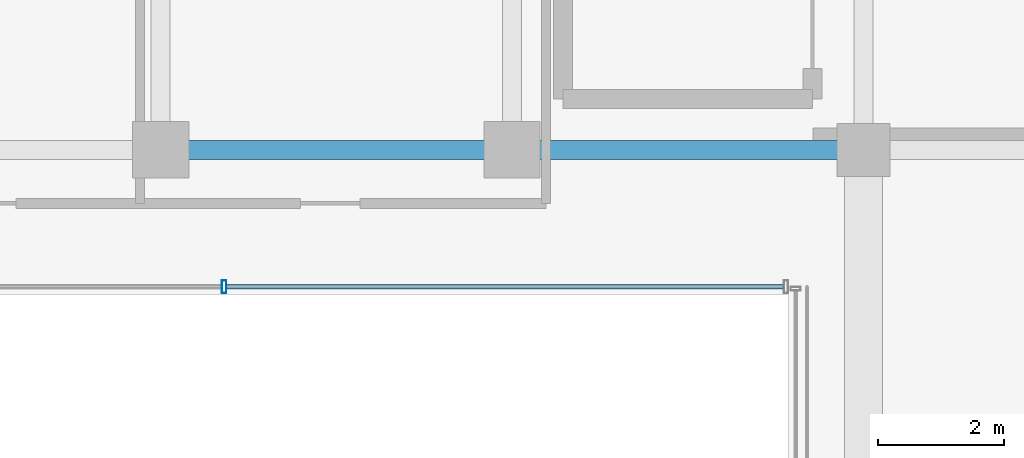
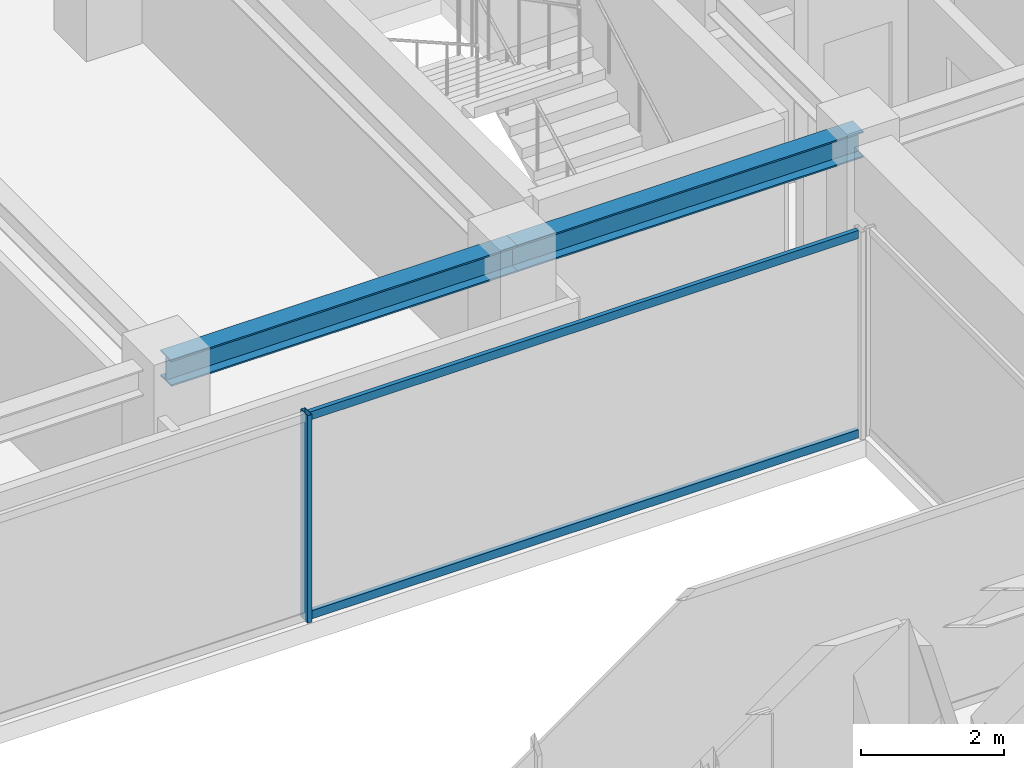
# One storey, part 13 of 37: 3 members, 2 beams, 1 element without a shape of its own.
"""IFC4 building model written with IfcOpenShell, lengths in metres."""

from ifc_helpers import new_model, si_unit, direction, frame, origin, origin_2d, place, context, subcontext, project, spatial, hollow_rectangle, i_section, extrude, source, transform, mapped, material, material_profile, profile_set, type_object, element, aggregate, save


model = new_model("IFC4")

# Units and contexts
model_context = context("Model", 3, precision=1e-05, world=origin(), true_north=direction((0.0, 1.0)))
body_context = subcontext(model_context, "Body", "Model", "MODEL_VIEW")
ifc_project = project(units=[si_unit("LENGTHUNIT", "METRE"), si_unit("AREAUNIT", "SQUARE_METRE"), si_unit("VOLUMEUNIT", "CUBIC_METRE"), si_unit("PLANEANGLEUNIT", "RADIAN"), si_unit("MASSUNIT", "GRAM", prefix="KILO")], contexts=[model_context])

# Site, building, storey
site_placement = place(None, origin())
site = spatial("IfcSite", under=ifc_project, at=site_placement, CompositionType="ELEMENT")
building_placement = place(site_placement, origin())
building = spatial("IfcBuilding", under=site, at=building_placement, Name="Nahalor Promenade Grand Hotel", CompositionType="ELEMENT")
storey_placement = place(building_placement, frame((0.0, 0.0, 292.64990234375)))
storey = spatial("IfcBuildingStorey", under=building, at=storey_placement, Name="L75", CompositionType="ELEMENT", Elevation=292.64990234375)

# Beams
ifc_material_1 = material(Name="Steel S355JR", Category="steel")
ifc_material_profile_1 = material_profile(ifc_material_1, i_section(OverallWidth=0.3, OverallDepth=0.45, WebThickness=0.014, FlangeThickness=0.026, at=origin_2d()), Name="HEB 450")
ifc_profile_set_1 = profile_set([ifc_material_profile_1], Name="Steel S355JR")
beam_type = type_object("IfcBeamType", Name="Beam-Girder-HEB450", PredefinedType="BEAM", material=ifc_profile_set_1)
shared_shape_1 = source(origin(), body_context, "Body", "SweptSolid", [
    extrude(i_section(OverallWidth=0.3, OverallDepth=0.45, WebThickness=0.014, FlangeThickness=0.026, at=origin_2d()), origin(), (0.0, 0.0, 1.0), 5.599853515625),
])
beam_1_placement = place(storey_placement, frame((2.800048828125, 5.39990234375, 3.3251953125), z_axis=(1.0, 0.0, 0.0), x_axis=(0.0, 1.0, 0.0)))
element("IfcBeam", 1, at=beam_1_placement, inside=storey, type_object=beam_type, Name="BM-L75-GX-2-4", PredefinedType="BEAM", context=body_context, shape_type="MappedRepresentation", body=[
    mapped(shared_shape_1, transform((0.0, 0.0, 0.0), scale=1.0)),
])
shared_shape_2 = source(origin(), body_context, "Body", "SweptSolid", [
    extrude(i_section(OverallWidth=0.3, OverallDepth=0.45, WebThickness=0.014, FlangeThickness=0.026, at=origin_2d()), origin(), (0.0, 0.0, 1.0), 5.60009765625),
])
beam_2_placement = place(storey_placement, frame((-2.800048828125, 5.39990234375, 3.3251953125), z_axis=(1.0, 0.0, 0.0), x_axis=(0.0, 1.0, 0.0)))
element("IfcBeam", 2, at=beam_2_placement, inside=storey, type_object=beam_type, Name="BM-L75-GX-2-3", PredefinedType="BEAM", context=body_context, shape_type="MappedRepresentation", body=[
    mapped(shared_shape_2, transform((0.0, 0.0, 0.0), scale=1.0)),
])

# Curtain wall, members
ifc_material_2 = material(Name="Anodised Bronze Aluminium EN AW-6063 T6", Category="aluminium")
curtain_wall_type = type_object("IfcCurtainWallType", Name="CW3 Elliptical-Void Collar Unitised Curtain Wall", PredefinedType="USERDEFINED", material=ifc_material_2)
curtain_wall_placement = place(storey_placement, origin())
curtain_wall = element("IfcCurtainWall", 3, at=curtain_wall_placement, inside=storey, type_object=curtain_wall_type, Name="L75 Curtain Wall CW-L75-VOID-WN1", ObjectType="UNITISED_CURTAIN_WALL", PredefinedType="USERDEFINED")
ifc_material_profile_2 = material_profile(ifc_material_2, hollow_rectangle(XDim=0.07, YDim=0.14, WallThickness=0.004, at=origin_2d()), Name="CWT 70x140x4")
ifc_profile_set_2 = profile_set([ifc_material_profile_2], Name="Anodised Bronze Aluminium EN AW-6063 T6")
member_type_1 = type_object("IfcMemberType", Name="CWT3 Void Collar Transom 70x140", PredefinedType="USERDEFINED", material=ifc_profile_set_2)
shared_shape_3 = source(origin(), body_context, "Body", "SweptSolid", [
    extrude(hollow_rectangle(XDim=0.07, YDim=0.14, WallThickness=0.004, at=origin_2d()), origin(), (0.0, 0.0, 1.0), 8.881591796875),
])
member_1_placement = place(storey_placement, frame((-1.751708984375, 3.219970703125, 0.070068359375), z_axis=(1.0, 0.0, 0.0), x_axis=(0.0, 1.0, 0.0)))
member_1 = element("IfcMember", 4, at=member_1_placement, type_object=member_type_1, Name="CW-L75-VOID-WN1 Transom 2-0", ObjectType="TRANSOM", PredefinedType="USERDEFINED", context=body_context, shape_type="MappedRepresentation", body=[
    mapped(shared_shape_3, transform((0.0, 0.0, 0.0), scale=1.0)),
])
member_2_placement = place(storey_placement, frame((-1.751708984375, 3.219970703125, 3.47998046875), z_axis=(1.0, 0.0, 0.0), x_axis=(0.0, 1.0, 0.0)))
member_2 = element("IfcMember", 5, at=member_2_placement, type_object=member_type_1, Name="CW-L75-VOID-WN1 Transom 2-1", ObjectType="TRANSOM", PredefinedType="USERDEFINED", context=body_context, shape_type="MappedRepresentation", body=[
    mapped(shared_shape_3, transform((0.0, 0.0, 0.0), scale=1.0)),
])
ifc_material_profile_3 = material_profile(ifc_material_2, hollow_rectangle(XDim=0.07, YDim=0.2, WallThickness=0.005, at=origin_2d()), Name="CWM 70x200x5")
ifc_profile_set_3 = profile_set([ifc_material_profile_3], Name="Anodised Bronze Aluminium EN AW-6063 T6")
member_type_2 = type_object("IfcMemberType", Name="CWM3 Void Collar Mullion 70x200", PredefinedType="MULLION", material=ifc_profile_set_3)
shared_shape_4 = source(origin(), body_context, "Body", "SweptSolid", [
    extrude(hollow_rectangle(XDim=0.07, YDim=0.2, WallThickness=0.005, at=origin_2d()), origin(), (0.0, 0.0, 1.0), 3.550048828125),
])
member_3_placement = place(storey_placement, frame((-1.78662109375, 3.219970703125, 0.0), z_axis=(0.0, 0.0, 1.0), x_axis=(1.0, 0.0, 0.0)))
member_3 = element("IfcMember", 6, at=member_3_placement, type_object=member_type_2, Name="CW-L75-VOID-WN1 Mullion 2", PredefinedType="MULLION", context=body_context, shape_type="MappedRepresentation", body=[
    mapped(shared_shape_4, transform((0.0, 0.0, 0.0), scale=1.0)),
])
aggregate(curtain_wall, [member_3, member_1, member_2])

save(model, "model.ifc")
